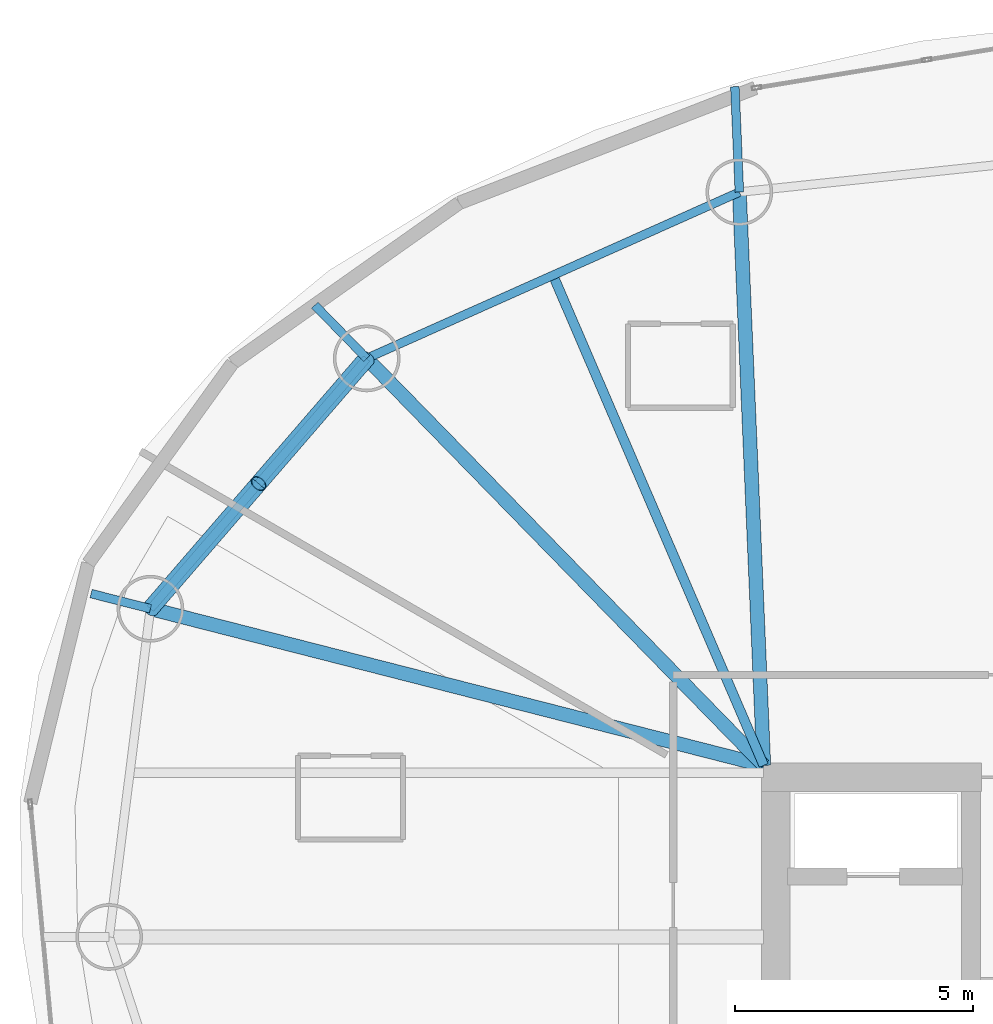
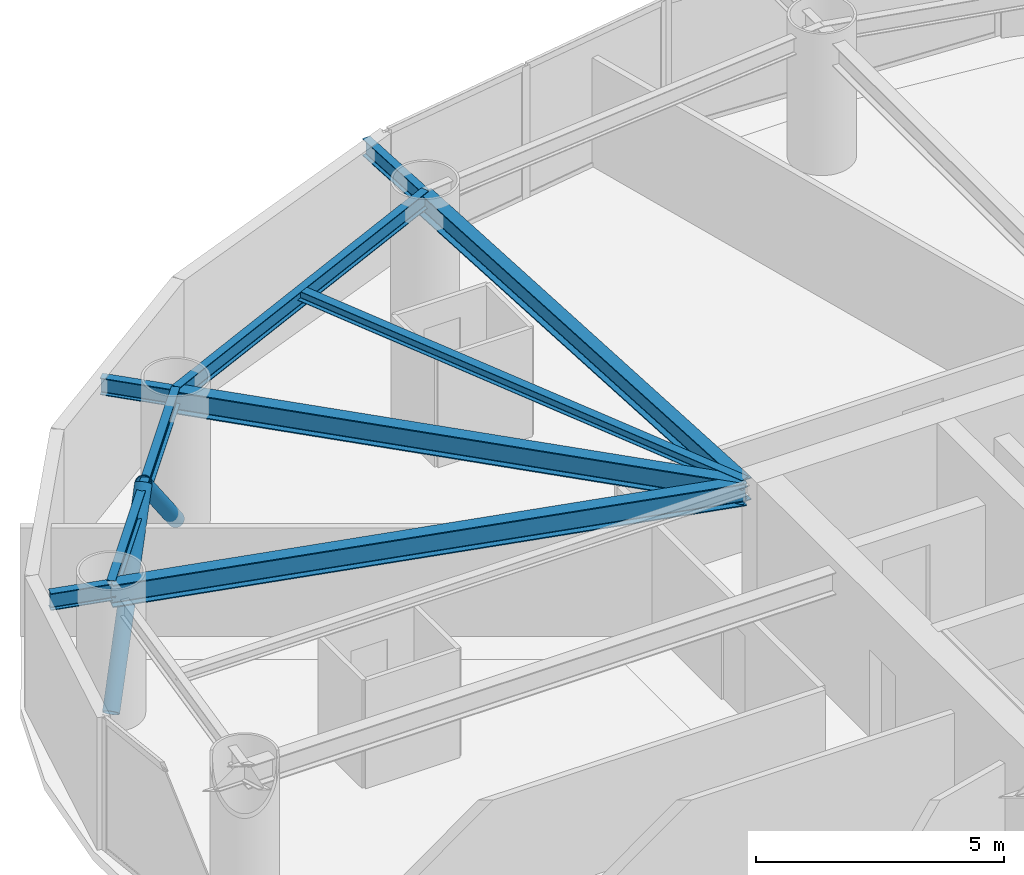
# One storey, part 10 of 20: 9 beams, 2 members.
"""IFC4 building model written with IfcOpenShell, lengths in metres."""

import ifcopenshell
import ifcopenshell.guid

model = None  # the IFC model being written
_history = None  # IfcOwnerHistory: only IFC2X3 demands one
_inside = {}  # id of a spatial element -> (the spatial element, [elements in it])
_under = {}  # id of a project, library or spatial element -> (it, [spatial elements below it])
_declared = {}  # id of a project -> (the project, [libraries it declares])
_typed = {}  # id of a type object -> (the type object, [elements of that type])
_made_of = {}  # id of a material, layer set ... -> (it, [elements and type objects made of it])


def new_model(schema):
    """Start an empty IFC model of exactly this schema.

    Asked for "IFC4X3", IfcOpenShell would pick the latest addendum, in which some entities
    have other attributes; the version numbers below select the first issue.
    IFC2X3 requires an IfcOwnerHistory on every rooted entity: one is made here for all.
    """
    global model, _history
    if schema == "IFC4X3":
        model = ifcopenshell.file(schema_version=(4, 3, 0, 0))
    else:
        model = ifcopenshell.file(schema=schema)
    _inside.clear()
    _under.clear()
    _declared.clear()
    _typed.clear()
    _made_of.clear()
    _history = None
    if model.schema == "IFC2X3":
        org = make("IfcOrganization", Name="unknown")
        user = make(
            "IfcPersonAndOrganization",
            ThePerson=make("IfcPerson", FamilyName="unknown"),
            TheOrganization=org,
        )
        app = make(
            "IfcApplication",
            ApplicationDeveloper=org,
            Version="unknown",
            ApplicationFullName="unknown",
            ApplicationIdentifier="unknown",
        )
        _history = make(
            "IfcOwnerHistory",
            OwningUser=user,
            OwningApplication=app,
            ChangeAction="ADDED",
            CreationDate=0,
        )
    return model


def make(cls, **values):
    """One entity of the class cls with the attributes given. An attribute that is None is left unset."""
    return model.create_entity(
        cls, **{name: value for name, value in values.items() if value is not None}
    )


def rooted(cls, **values):
    """An entity with a GlobalId (a new one), such as an element, a storey or a relation."""
    return make(cls, GlobalId=ifcopenshell.guid.new(), OwnerHistory=_history, **values)


def si_unit(unit_type, name, prefix=None):
    """IfcSIUnit, for example si_unit("LENGTHUNIT", "METRE", prefix="MILLI")."""
    return make("IfcSIUnit", UnitType=unit_type, Prefix=prefix, Name=name)


def assignment(units):
    """IfcUnitAssignment: the units of a project."""
    return None if units is None else make("IfcUnitAssignment", Units=units)


def point(xyz):
    """IfcCartesianPoint."""
    return None if xyz is None else make("IfcCartesianPoint", Coordinates=xyz)


def direction(xyz):
    """IfcDirection."""
    return None if xyz is None else make("IfcDirection", DirectionRatios=xyz)


def frame(location, z_axis=None, x_axis=None):
    """IfcAxis2Placement3D, a coordinate frame: its origin and axes. An axis left out is left unset."""
    return make(
        "IfcAxis2Placement3D",
        Location=point(location),
        Axis=direction(z_axis),
        RefDirection=direction(x_axis),
    )


def frame_2d(location, x_axis=None):
    """IfcAxis2Placement2D, a coordinate frame in the plane: its origin and x axis."""
    return make(
        "IfcAxis2Placement2D", Location=point(location), RefDirection=direction(x_axis)
    )


def origin():
    """The frame at (0, 0, 0) with its axes left unset."""
    return frame((0.0, 0.0, 0.0))


def origin_2d():
    """The frame at (0, 0) in the plane with its x axis left unset."""
    return frame_2d((0.0, 0.0))


def place(relative_to, where):
    """IfcLocalPlacement: puts the frame where relative to a parent placement (None: the world)."""
    return make(
        "IfcLocalPlacement", PlacementRelTo=relative_to, RelativePlacement=where
    )


def context(
    kind, dimensions, precision=None, world=None, true_north=None, identifier=None
):
    """IfcGeometricRepresentationContext, for example the 3D "Model" context."""
    return make(
        "IfcGeometricRepresentationContext",
        ContextIdentifier=identifier,
        ContextType=kind,
        CoordinateSpaceDimension=dimensions,
        Precision=precision,
        WorldCoordinateSystem=world,
        TrueNorth=true_north,
    )


def subcontext(parent, identifier, kind, view, scale=None):
    """IfcGeometricRepresentationSubContext, for example "Body" below "Model"."""
    return make(
        "IfcGeometricRepresentationSubContext",
        ContextIdentifier=identifier,
        ContextType=kind,
        ParentContext=parent,
        TargetScale=scale,
        TargetView=view,
    )


def project(units=None, contexts=None):
    """IfcProject with its units and contexts."""
    return rooted(
        "IfcProject",
        Name="project",
        RepresentationContexts=contexts,
        UnitsInContext=assignment(units),
    )


def spatial(cls, under=None, at=None, **own):
    """A site, building, storey or space (cls), placed at a placement, below another one or the project."""
    s = rooted(cls, ObjectPlacement=at, **own)
    if under is not None:
        _under.setdefault(under.id(), (under, []))[1].append(s)
    return s


def profile(cls, at=None, kind="AREA", **sizes):
    """A parametric profile (cls). Its sizes go by their IFC names, for example OverallWidth=200.0."""
    return make(cls, ProfileType=kind, Position=at, **sizes)


def hollow_circle(**sizes):
    """IfcCircleHollowProfileDef."""
    return profile("IfcCircleHollowProfileDef", **sizes)


def i_section(**sizes):
    """IfcIShapeProfileDef."""
    return profile("IfcIShapeProfileDef", **sizes)


def extrude(swept, where, along, depth):
    """IfcExtrudedAreaSolid: the profile swept, set in the frame where, extruded along a direction by depth."""
    return make(
        "IfcExtrudedAreaSolid",
        SweptArea=swept,
        Position=where,
        ExtrudedDirection=direction(along),
        Depth=depth,
    )


def shape(context_of_items, identifier, shape_type, items):
    """IfcShapeRepresentation: the items that make up one representation, for example the "Body"."""
    return make(
        "IfcShapeRepresentation",
        ContextOfItems=context_of_items,
        RepresentationIdentifier=identifier,
        RepresentationType=shape_type,
        Items=items,
    )


def material(Name=None, Category=None):
    """IfcMaterial."""
    return make("IfcMaterial", Name=Name, Category=Category)


def material_profile(
    of_material, cross_section, Name=None, Category=None, Priority=None
):
    """IfcMaterialProfile: a cross section and its material."""
    return make(
        "IfcMaterialProfile",
        Name=Name,
        Material=of_material,
        Profile=cross_section,
        Priority=Priority,
        Category=Category,
    )


def profile_set(profiles, Name=None, composite=None):
    """IfcMaterialProfileSet."""
    return make(
        "IfcMaterialProfileSet",
        Name=Name,
        MaterialProfiles=profiles,
        CompositeProfile=composite,
    )


def made_of(thing, what):
    """Note that an element or type object is made of a material, layer set ...; save() writes the relation."""
    if what is not None:
        _made_of.setdefault(what.id(), (what, []))[1].append(thing)
    return thing


def type_object(cls, material=None, **own):
    """A type object (cls), such as IfcWallType, which elements share."""
    return made_of(rooted(cls, **own), material)


def element(
    cls,
    number,
    at=None,
    inside=None,
    cuts=None,
    type_object=None,
    material=None,
    context=None,
    identifier="Body",
    shape_type=None,
    held_by="IfcProductDefinitionShape",
    body=None,
    shapes=None,
    **own,
):
    """One element of the class cls, such as IfcWall. Its Tag is "e" and its number.

    at: its placement. inside: the storey or other place that contains it. cuts: it is an
    opening in that element (IfcRelVoidsElement). A single representation is given by context,
    identifier, shape_type and body (its items); several are given by shapes. held_by: the class
    of the entity that holds the representations. save() writes the other relations.
    """
    e = rooted(cls, Tag="e%d" % number, ObjectPlacement=at, **own)
    if body is not None:
        shapes = [shape(context, identifier, shape_type, body)]
    if shapes is not None:
        e.Representation = make(held_by, Representations=shapes)
    if inside is not None:
        _inside.setdefault(inside.id(), (inside, []))[1].append(e)
    if cuts is not None:
        rooted(
            "IfcRelVoidsElement", RelatingBuildingElement=cuts, RelatedOpeningElement=e
        )
    if type_object is not None:
        _typed.setdefault(type_object.id(), (type_object, []))[1].append(e)
    return made_of(e, material)


def aggregate(whole, parts):
    """IfcRelAggregates: a whole, such as a stair, and the parts it consists of."""
    return rooted("IfcRelAggregates", RelatingObject=whole, RelatedObjects=parts)


def save(model, path):
    """Write the relations noted so far, then the file.

    IfcRelAggregates (storeys below a building ...), IfcRelContainedInSpatialStructure (elements
    in a storey), IfcRelDefinesByType, IfcRelAssociatesMaterial and IfcRelDeclares: one each for
    every whole, place, type object, material and project.
    """
    for whole, parts in _under.values():
        aggregate(whole, parts)
    for where, things in _inside.values():
        rooted(
            "IfcRelContainedInSpatialStructure",
            RelatedElements=things,
            RelatingStructure=where,
        )
    for kind, things in _typed.values():
        rooted("IfcRelDefinesByType", RelatedObjects=things, RelatingType=kind)
    for what, things in _made_of.values():
        rooted("IfcRelAssociatesMaterial", RelatedObjects=things, RelatingMaterial=what)
    for by, libraries in _declared.values():
        rooted("IfcRelDeclares", RelatingContext=by, RelatedDefinitions=libraries)
    model.write(path)


model = new_model("IFC4")

# Units and contexts
model_context = context("Model", 3, precision=1e-05, world=origin(), true_north=direction((0.0, 1.0)))
body_context = subcontext(model_context, "Body", "Model", "MODEL_VIEW")
ifc_project = project(units=[si_unit("LENGTHUNIT", "METRE"), si_unit("AREAUNIT", "SQUARE_METRE"), si_unit("VOLUMEUNIT", "CUBIC_METRE"), si_unit("PLANEANGLEUNIT", "RADIAN"), si_unit("MASSUNIT", "GRAM", prefix="KILO")], contexts=[model_context])

# Site, building, storey
site_placement = place(None, origin())
site = spatial("IfcSite", under=ifc_project, at=site_placement, CompositionType="ELEMENT")
building_placement = place(site_placement, origin())
building = spatial("IfcBuilding", under=site, at=building_placement, Name="Bramvorn Convention Spire", CompositionType="ELEMENT")
storey_placement = place(building_placement, frame((0.0, 0.0, 130.800048828125)))
storey = spatial("IfcBuildingStorey", under=building, at=storey_placement, Name="L32", CompositionType="ELEMENT", Elevation=130.800048828125)

# Beams
ifc_material = material(Name="Steel CSA G40.21 Grade 350 (350W)", Category="steel")
ifc_material_profile_1 = material_profile(ifc_material, i_section(OverallWidth=0.201904296875, OverallDepth=0.2470703125, WebThickness=0.00732421875, FlangeThickness=0.010986328125, FilletRadius=0.011962890625, at=origin_2d()))
ifc_profile_set_1 = profile_set([ifc_material_profile_1], Name="Steel CSA G40.21 Grade 350 (350W) - W250X49")
beam_type_1 = type_object("IfcBeamType", Name="BM-W250X49", PredefinedType="JOIST", material=ifc_profile_set_1)
beam_1_placement = place(storey_placement, frame((26.75, 33.449951171875, 3.136474609375), z_axis=(-0.394937739893, 0.918707886985, 0.0), x_axis=(-0.918707886985, -0.394937739893, 0.0)))
element("IfcBeam", 1, at=beam_1_placement, inside=storey, type_object=beam_type_1, Name="L32 composite floor joist 07", PredefinedType="JOIST", context=body_context, shape_type="SweptSolid", body=[
    extrude(i_section(OverallWidth=0.201904296875, OverallDepth=0.2470703125, WebThickness=0.00732421875, FlangeThickness=0.010986328125, FilletRadius=0.011962890625, at=origin_2d()), origin(), (0.0, 0.0, 1.0), 11.19384765625),
])
ifc_material_profile_2 = material_profile(ifc_material, i_section(OverallWidth=0.180908203125, OverallDepth=0.4169921875, WebThickness=0.010986328125, FlangeThickness=0.018310546875, FilletRadius=0.01611328125, at=origin_2d()))
ifc_profile_set_2 = profile_set([ifc_material_profile_2], Name="Steel CSA G40.21 Grade 350 (350W) - W410X85")
beam_type_2 = type_object("IfcBeamType", Name="BM-W410X85", PredefinedType="JOIST", material=ifc_profile_set_2)
beam_2_placement = place(storey_placement, frame((26.23828125, 45.478759765625, 3.0263671875), z_axis=(-0.042561552233, 0.999093846579, 0.0), x_axis=(-0.999093846579, -0.042561552233, 0.0)))
element("IfcBeam", 2, at=beam_2_placement, inside=storey, type_object=beam_type_2, Name="L32 Sky-Garden cantilever tip girder MC07", PredefinedType="JOIST", context=body_context, shape_type="SweptSolid", body=[
    extrude(i_section(OverallWidth=0.180908203125, OverallDepth=0.4169921875, WebThickness=0.010986328125, FlangeThickness=0.018310546875, FilletRadius=0.01611328125, at=origin_2d()), origin(), (0.0, 0.0, 1.0), 2.214111328125),
])
beam_3_placement = place(storey_placement, frame((26.23828125, 45.478759765625, 3.051513671875), z_axis=(-0.913169534701, -0.407579931908, 0.0), x_axis=(0.407579931908, -0.913169534701, 0.0)))
element("IfcBeam", 3, at=beam_3_placement, inside=storey, type_object=beam_type_2, Name="L32 mega-column ring beam 07", PredefinedType="JOIST", context=body_context, shape_type="SweptSolid", body=[
    extrude(i_section(OverallWidth=0.180908203125, OverallDepth=0.4169921875, WebThickness=0.010986328125, FlangeThickness=0.018310546875, FilletRadius=0.01611328125, at=origin_2d()), origin(), (0.0, 0.0, 1.0), 8.5615234375),
])
beam_4_placement = place(storey_placement, frame((18.420166015625, 41.9892578125, 3.0263671875), z_axis=(-0.698288650186, 0.715816289994, 0.0), x_axis=(-0.715816289994, -0.698288650186, 0.0)))
element("IfcBeam", 4, at=beam_4_placement, inside=storey, type_object=beam_type_2, Name="L32 Sky-Garden cantilever tip girder MC08", PredefinedType="JOIST", context=body_context, shape_type="SweptSolid", body=[
    extrude(i_section(OverallWidth=0.180908203125, OverallDepth=0.4169921875, WebThickness=0.010986328125, FlangeThickness=0.018310546875, FilletRadius=0.01611328125, at=origin_2d()), origin(), (0.0, 0.0, 1.0), 1.56005859375),
])
beam_5_placement = place(storey_placement, frame((18.420166015625, 41.9892578125, 3.051513671875), z_axis=(-0.653824993824, -0.756645807132, 0.0), x_axis=(0.756645807132, -0.653824993824, 0.0)))
element("IfcBeam", 5, at=beam_5_placement, inside=storey, type_object=beam_type_2, Name="L32 mega-column ring beam 08", PredefinedType="JOIST", context=body_context, shape_type="SweptSolid", body=[
    extrude(i_section(OverallWidth=0.180908203125, OverallDepth=0.4169921875, WebThickness=0.010986328125, FlangeThickness=0.018310546875, FilletRadius=0.01611328125, at=origin_2d()), origin(), (0.0, 0.0, 1.0), 6.9404296875),
])
beam_6_placement = place(storey_placement, frame((13.88232421875, 36.73779296875, 3.0263671875), z_axis=(-0.968887627417, 0.247501041286, 0.0), x_axis=(-0.247501041286, -0.968887627417, 0.0)))
element("IfcBeam", 6, at=beam_6_placement, inside=storey, type_object=beam_type_2, Name="L32 Sky-Garden cantilever tip girder MC09", PredefinedType="JOIST", context=body_context, shape_type="SweptSolid", body=[
    extrude(i_section(OverallWidth=0.180908203125, OverallDepth=0.4169921875, WebThickness=0.010986328125, FlangeThickness=0.018310546875, FilletRadius=0.01611328125, at=origin_2d()), origin(), (0.0, 0.0, 1.0), 1.283447265625),
])
ifc_material_profile_3 = material_profile(ifc_material, i_section(OverallWidth=0.2919921875, OverallDepth=0.551025390625, WebThickness=0.01513671875, FlangeThickness=0.0244140625, FilletRadius=0.01904296875, at=origin_2d()))
ifc_profile_set_3 = profile_set([ifc_material_profile_3], Name="Steel CSA G40.21 Grade 350 (350W) - W530X182")
beam_type_3 = type_object("IfcBeamType", Name="BM-W530X182", PredefinedType="BEAM", material=ifc_profile_set_3)
beam_7_placement = place(storey_placement, frame((26.75, 33.449951171875, 2.95947265625), z_axis=(-0.042502657955, 0.999096353745, 0.0), x_axis=(-0.999096353745, -0.042502657955, 0.0)))
element("IfcBeam", 7, at=beam_7_placement, inside=storey, type_object=beam_type_3, Name="L32 Sky-Garden back-span radial girder MC07", PredefinedType="BEAM", context=body_context, shape_type="SweptSolid", body=[
    extrude(i_section(OverallWidth=0.2919921875, OverallDepth=0.551025390625, WebThickness=0.01513671875, FlangeThickness=0.0244140625, FilletRadius=0.01904296875, at=origin_2d()), origin(), (0.0, 0.0, 1.0), 12.039794921875),
])
beam_8_placement = place(storey_placement, frame((26.75, 33.449951171875, 2.95947265625), z_axis=(-0.698272445638, 0.715832097397, 0.0), x_axis=(-0.715832097397, -0.698272445638, 0.0)))
element("IfcBeam", 8, at=beam_8_placement, inside=storey, type_object=beam_type_3, Name="L32 Sky-Garden back-span radial girder MC08", PredefinedType="BEAM", context=body_context, shape_type="SweptSolid", body=[
    extrude(i_section(OverallWidth=0.2919921875, OverallDepth=0.551025390625, WebThickness=0.01513671875, FlangeThickness=0.0244140625, FilletRadius=0.01904296875, at=origin_2d()), origin(), (0.0, 0.0, 1.0), 11.92919921875),
])
beam_9_placement = place(storey_placement, frame((26.75, 33.449951171875, 2.95947265625), z_axis=(-0.968872976577, 0.247558387576, 0.0), x_axis=(-0.247558387576, -0.968872976577, 0.0)))
element("IfcBeam", 9, at=beam_9_placement, inside=storey, type_object=beam_type_3, Name="L32 Sky-Garden back-span radial girder MC09", PredefinedType="BEAM", context=body_context, shape_type="SweptSolid", body=[
    extrude(i_section(OverallWidth=0.2919921875, OverallDepth=0.551025390625, WebThickness=0.01513671875, FlangeThickness=0.0244140625, FilletRadius=0.01904296875, at=origin_2d()), origin(), (0.0, 0.0, 1.0), 13.281005859375),
])

# Members
ifc_material_profile_4 = material_profile(ifc_material, hollow_circle(Radius=0.177734375, WallThickness=0.015869140625, at=origin_2d()))
ifc_profile_set_4 = profile_set([ifc_material_profile_4], Name="Steel CSA G40.21 Grade 350 (350W) - CHS356X16")
member_type = type_object("IfcMemberType", Name="MBR-CHS356X16", PredefinedType="BRACE", material=ifc_profile_set_4)
member_1_placement = place(storey_placement, frame((18.420166015625, 41.9892578125, 0.0), z_axis=(-0.476512423349, -0.551478652009, 0.684694973526), x_axis=(0.756663209553, -0.653804854149, 0.0)))
element("IfcMember", 10, at=member_1_placement, inside=storey, type_object=member_type, Name="L32 perimeter Gothic lancet brace 8A", PredefinedType="BRACE", context=body_context, shape_type="SweptSolid", body=[
    extrude(hollow_circle(Radius=0.177734375, WallThickness=0.015869140625, at=origin_2d()), origin(), (0.0, 0.0, 1.0), 4.76123046875),
])
member_2_placement = place(storey_placement, frame((13.88232421875, 36.73779296875, 0.0), z_axis=(0.476552055337, 0.551465177012, 0.684678243481), x_axis=(-0.756628404976, 0.65384513211, 0.0)))
element("IfcMember", 11, at=member_2_placement, inside=storey, type_object=member_type, Name="L32 perimeter Gothic lancet brace 8B", PredefinedType="BRACE", context=body_context, shape_type="SweptSolid", body=[
    extrude(hollow_circle(Radius=0.177734375, WallThickness=0.015869140625, at=origin_2d()), origin(), (0.0, 0.0, 1.0), 4.761474609375),
])

save(model, "model.ifc")
